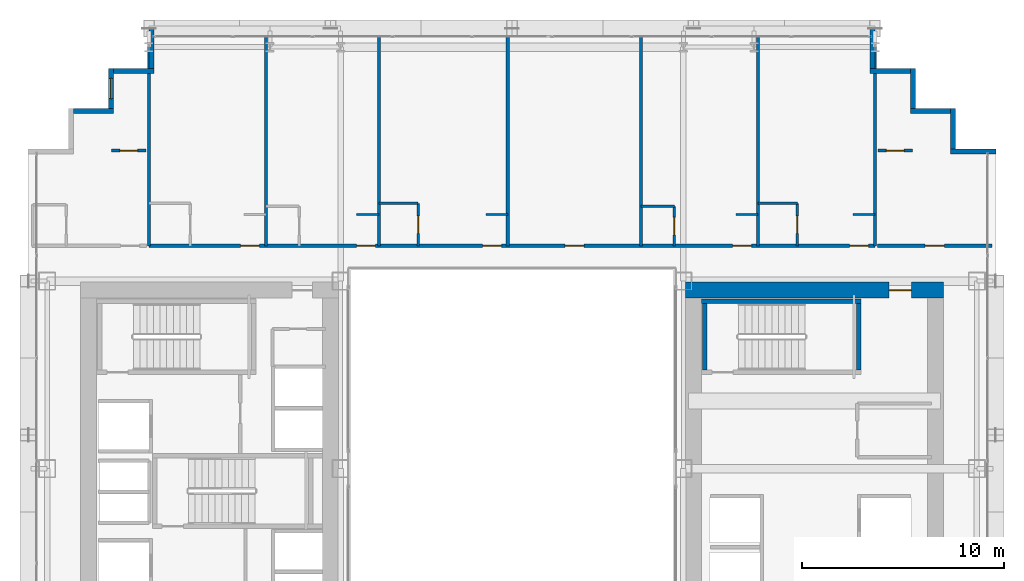
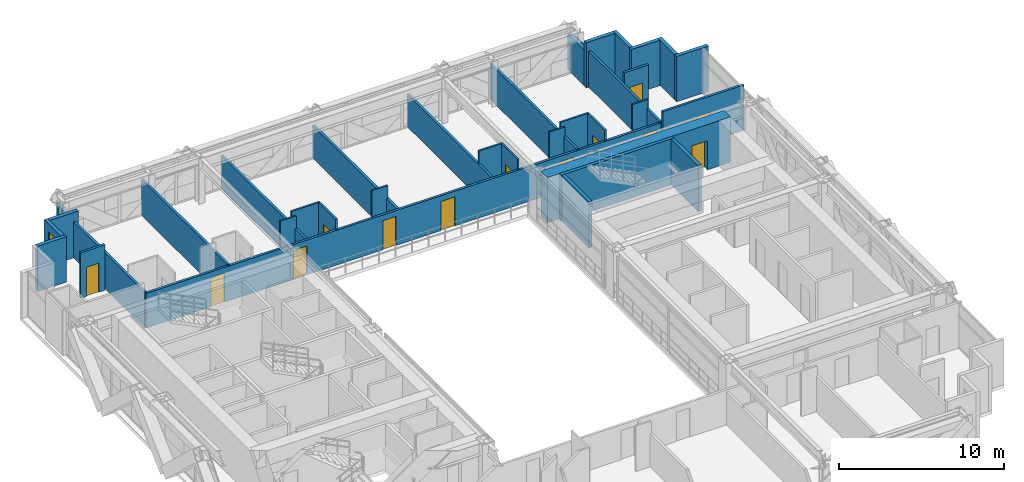
# One storey, part 36 of 41: 35 walls, 13 doors, 1 window, 14 openings.
"""IFC4 building model written with IfcOpenShell, lengths in metres."""

from ifc_helpers import new_model, si_unit, direction, frame, frame_2d, origin, place, context, subcontext, project, spatial, rectangle, extrude, source, transform, mapped, material, layer, layer_set, type_object, element, fill, save


model = new_model("IFC4")

# Units and contexts
model_context = context("Model", 3, precision=1e-05, world=origin(), true_north=direction((0.0, 1.0)))
body_context = subcontext(model_context, "Body", "Model", "MODEL_VIEW")
ifc_project = project(units=[si_unit("LENGTHUNIT", "METRE"), si_unit("AREAUNIT", "SQUARE_METRE"), si_unit("VOLUMEUNIT", "CUBIC_METRE"), si_unit("PLANEANGLEUNIT", "RADIAN"), si_unit("MASSUNIT", "GRAM", prefix="KILO")], contexts=[model_context])

# Site, building, storey
site_placement = place(None, origin())
site = spatial("IfcSite", under=ifc_project, at=site_placement, CompositionType="ELEMENT")
building_placement = place(site_placement, origin())
building = spatial("IfcBuilding", under=site, at=building_placement, Name="Ocotamira Hotel", CompositionType="ELEMENT")
storey_placement = place(building_placement, frame((0.0, 0.0, 52.800048828125)))
storey = spatial("IfcBuildingStorey", under=building, at=storey_placement, Name="L12", CompositionType="ELEMENT", Elevation=52.800048828125)

# Wall, opening, door
ifc_material_1 = material(Name="Concrete C60/75", Category="concrete")
ifc_layer_1 = layer(ifc_material_1, 0.800048828125)
ifc_layer_set_1 = layer_set([ifc_layer_1], Name="Concrete C60/75")
wall_type_1 = type_object("IfcWallType", Name="WL-CORE-800", PredefinedType="SHEAR", material=ifc_layer_set_1)
wall_1_placement = place(storey_placement, frame((40.60009765625, 37.0, 0.0), z_axis=(0.0, 0.0, 1.0), x_axis=(1.0, 0.0, 0.0)))
wall_1 = element("IfcWall", 1, at=wall_1_placement, inside=storey, type_object=wall_type_1, Name="L12 Shear Core Wall ECORE-N", PredefinedType="SHEAR", context=body_context, shape_type="SweptSolid", body=[
    extrude(rectangle(XDim=12.7998046875, YDim=0.800048828125, at=frame_2d((6.39990234375, 0.0))), origin(), (0.0, 0.0, 1.0), 3.349853515625),
])
opening_1_placement = place(wall_1_placement, frame((10.10009765625, 0.0, 0.0)))
opening_1 = element("IfcOpeningElement", 2, at=opening_1_placement, cuts=wall_1, Name="Opening D-FR1", PredefinedType="OPENING", context=body_context, shape_type="SweptSolid", body=[
    extrude(rectangle(XDim=1.10009765625, YDim=2.14990234375, at=frame_2d((0.550048828125, 1.074951171875))), frame((0.0, 0.41015625, 0.0), z_axis=(0.0, -1.0, 0.0), x_axis=(1.0, 0.0, 0.0)), (0.0, 0.0, 1.0), 0.820068359375),
])
ifc_material_2 = material(Name="Fire-rated acoustic timber-veneer door", Category="wood")
door_type_1 = type_object("IfcDoorType", Name="DR-FIRE-1100", OperationType="NOTDEFINED", PredefinedType="DOOR", material=ifc_material_2)
shared_shape_1 = source(origin(), body_context, "Body", "SweptSolid", [
    extrude(rectangle(XDim=1.10009765625, YDim=2.14990234375, at=frame_2d((0.550048828125, 1.074951171875))), frame((0.0, 0.02490234375, 0.0), z_axis=(0.0, -1.0, 0.0), x_axis=(1.0, 0.0, 0.0)), (0.0, 0.0, 1.0), 0.050048828125),
])
door_1_placement = place(opening_1_placement, origin())
door_1 = element("IfcDoor", 3, at=door_1_placement, inside=storey, type_object=door_type_1, Name="L12 Door ID-L12-ELOB-N-D [ID-L12-ELOB-N-D]", OperationType="SINGLE_SWING_LEFT", OverallHeight=2.14990234375, OverallWidth=1.10009765625, PredefinedType="DOOR", context=body_context, shape_type="MappedRepresentation", body=[
    mapped(shared_shape_1, transform((0.0, 0.0, 0.0), scale=1.0)),
])
fill(opening_1, door_1)

# Walls
ifc_material_3 = material(Name="Precast concrete C45/55", Category="concrete")
ifc_layer_2 = layer(ifc_material_3, 0.25)
ifc_layer_set_2 = layer_set([ifc_layer_2], Name="Precast concrete C45/55")
wall_type_2 = type_object("IfcWallType", Name="WL-EXT-SER-250", PredefinedType="SOLIDWALL", material=ifc_layer_set_2)
wall_2_placement = place(storey_placement, frame((56.0, 43.875, 0.0), z_axis=(0.0, 0.0, 1.0), x_axis=(-1.0, 0.0, 0.0)))
element("IfcWall", 4, at=wall_2_placement, inside=storey, type_object=wall_type_2, Name="L12 Serrated Corner Wall 07", PredefinedType="SOLIDWALL", context=body_context, shape_type="SweptSolid", body=[
    extrude(rectangle(XDim=2.25, YDim=0.25, at=frame_2d((1.125, 0.0))), origin(), (0.0, 0.0, 1.0), 3.349853515625),
])
for number, where, z_axis, x_axis, name in (
    (5, (53.875, 44.0, 0.0), (0.0, 0.0, 1.0), (0.0, 1.0, 0.0), "L12 Serrated Corner Wall 08"),
    (6, (53.75, 45.875, 0.0), (0.0, 0.0, 1.0), (-1.0, 0.0, 0.0), "L12 Serrated Corner Wall 09"),
    (7, (51.875, 46.0, 0.0), (0.0, 0.0, 1.0), (0.0, 1.0, 0.0), "L12 Serrated Corner Wall 10"),
    (8, (51.75, 47.875, 0.0), (0.0, 0.0, 1.0), (-1.0, 0.0, 0.0), "L12 Serrated Corner Wall 11"),
):
    element("IfcWall", number, at=place(storey_placement, frame(where, z_axis=z_axis, x_axis=x_axis)), inside=storey, type_object=wall_type_2, Name=name, PredefinedType="SOLIDWALL", context=body_context, shape_type="SweptSolid", body=[
        extrude(rectangle(XDim=2.0, YDim=0.25, at=frame_2d((1.0, 0.0))), origin(), (0.0, 0.0, 1.0), 3.349853515625),
    ])
for number, where, z_axis, x_axis, name in (
    (9, (49.875, 48.0, 0.0), (0.0, 0.0, 1.0), (0.0, 1.0, 0.0), "L12 Serrated Corner Wall 12"),
    (10, (14.125, 50.0, 0.0), (0.0, 0.0, 1.0), (0.0, -1.0, 0.0), "L12 Serrated Corner Wall 13"),
):
    element("IfcWall", number, at=place(storey_placement, frame(where, z_axis=z_axis, x_axis=x_axis)), inside=storey, type_object=wall_type_2, Name=name, PredefinedType="SOLIDWALL", context=body_context, shape_type="SweptSolid", body=[
        extrude(rectangle(XDim=2.0, YDim=0.25, at=frame_2d((1.0, 0.0))), origin(), (0.0, 0.0, 1.0), 2.656982421875),
    ])
wall_3_placement = place(storey_placement, frame((14.25, 47.875, 0.0), z_axis=(0.0, 0.0, 1.0), x_axis=(-1.0, 0.0, 0.0)))
element("IfcWall", 11, at=wall_3_placement, inside=storey, type_object=wall_type_2, Name="L12 Serrated Corner Wall 14", PredefinedType="SOLIDWALL", context=body_context, shape_type="SweptSolid", body=[
    extrude(rectangle(XDim=2.0, YDim=0.25, at=frame_2d((1.0, 0.0))), origin(), (0.0, 0.0, 1.0), 3.349853515625),
])

# Wall, opening, window
wall_4_placement = place(storey_placement, frame((12.125, 48.0, 0.0), z_axis=(0.0, 0.0, 1.0), x_axis=(0.0, -1.0, 0.0)))
wall_4 = element("IfcWall", 12, at=wall_4_placement, inside=storey, type_object=wall_type_2, Name="L12 Serrated Corner Wall 15", PredefinedType="SOLIDWALL", context=body_context, shape_type="SweptSolid", body=[
    extrude(rectangle(XDim=2.0, YDim=0.25, at=frame_2d((1.0, 0.0))), origin(), (0.0, 0.0, 1.0), 3.349853515625),
])
opening_2_placement = place(wall_4_placement, frame((0.5, 0.0, 0.85009765625)))
opening_2 = element("IfcOpeningElement", 13, at=opening_2_placement, cuts=wall_4, Name="Opening WN-2", PredefinedType="OPENING", context=body_context, shape_type="SweptSolid", body=[
    extrude(rectangle(XDim=1.0, YDim=1.89990234375, at=frame_2d((0.5, 0.949951171875))), frame((0.0, 0.135009765625, 0.0), z_axis=(0.0, -1.0, 0.0), x_axis=(1.0, 0.0, 0.0)), (0.0, 0.0, 1.0), 0.27001953125),
])
ifc_material_4 = material(Name="Double-silver low-E solar glass", Category="glass")
window_type = type_object("IfcWindowType", Name="WIN-SER-1100", PartitioningType="SINGLE_PANEL", PredefinedType="WINDOW", material=ifc_material_4)
shared_shape_2 = source(origin(), body_context, "Body", "SweptSolid", [
    extrude(rectangle(XDim=1.0, YDim=1.89990234375, at=frame_2d((0.5, 0.949951171875))), frame((0.0, 0.030029296875, 0.0), z_axis=(0.0, -1.0, 0.0), x_axis=(1.0, 0.0, 0.0)), (0.0, 0.0, 1.0), 0.06005859375),
])
window_placement = place(opening_2_placement, origin())
window = element("IfcWindow", 14, at=window_placement, inside=storey, type_object=window_type, Name="L12 Serrated Corner Window 15", OverallHeight=1.89990234375, OverallWidth=1.0, PartitioningType="SINGLE_PANEL", PredefinedType="WINDOW", context=body_context, shape_type="MappedRepresentation", body=[
    mapped(shared_shape_2, transform((0.0, 0.0, 0.0), scale=1.0)),
])
fill(opening_2, window)

# Wall
wall_5_placement = place(storey_placement, frame((12.25, 45.875, 0.0), z_axis=(0.0, 0.0, 1.0), x_axis=(-1.0, 0.0, 0.0)))
element("IfcWall", 15, at=wall_5_placement, inside=storey, type_object=wall_type_2, Name="L12 Serrated Corner Wall 16", PredefinedType="SOLIDWALL", context=body_context, shape_type="SweptSolid", body=[
    extrude(rectangle(XDim=2.0, YDim=0.25, at=frame_2d((1.0, 0.0))), origin(), (0.0, 0.0, 1.0), 3.349853515625),
])

# Wall, opening, door
ifc_material_5 = material(Name="Acoustic double-layer fire gypsum board partition", Category="gypsum")
ifc_layer_3 = layer(ifc_material_5, 0.159912109375)
ifc_layer_set_3 = layer_set([ifc_layer_3], Name="Acoustic double-layer fire gypsum board partition")
wall_type_3 = type_object("IfcWallType", Name="WL-FIRE-160", PredefinedType="PARTITIONING", material=ifc_layer_set_3)
wall_6_placement = place(storey_placement, frame((50.1201171875, 39.199951171875, 0.0), z_axis=(0.0, 0.0, 1.0), x_axis=(1.0, 0.0, 0.0)))
wall_6 = element("IfcWall", 16, at=wall_6_placement, inside=storey, type_object=wall_type_3, Name="L12 Interior Wall PW-L12-Z1B-CNE-CW", PredefinedType="PARTITIONING", context=body_context, shape_type="SweptSolid", body=[
    extrude(rectangle(XDim=5.679931640625, YDim=0.159912109375, at=frame_2d((2.83984375, 0.0))), origin(), (0.0, 0.0, 1.0), 3.349853515625),
])
opening_3_placement = place(wall_6_placement, frame((2.360107421875, 0.0, 0.0)))
opening_3 = element("IfcOpeningElement", 17, at=opening_3_placement, cuts=wall_6, Name="Opening D-SV4", PredefinedType="OPENING", context=body_context, shape_type="SweptSolid", body=[
    extrude(rectangle(XDim=0.9599609375, YDim=2.14990234375, at=frame_2d((0.47998046875, 1.074951171875))), frame((0.0, 0.08984375, 0.0), z_axis=(0.0, -1.0, 0.0), x_axis=(1.0, 0.0, 0.0)), (0.0, 0.0, 1.0), 0.179931640625),
])
ifc_material_6 = material(Name="Fire-rated accessible walnut salon door", Category="wood")
door_type_2 = type_object("IfcDoorType", Name="DR-SERV-960", OperationType="NOTDEFINED", PredefinedType="DOOR", material=ifc_material_6)
shared_shape_3 = source(origin(), body_context, "Body", "SweptSolid", [
    extrude(rectangle(XDim=0.9599609375, YDim=2.14990234375, at=frame_2d((0.47998046875, 1.074951171875))), frame((0.0, 0.02490234375, 0.0), z_axis=(0.0, -1.0, 0.0), x_axis=(1.0, 0.0, 0.0)), (0.0, 0.0, 1.0), 0.050048828125),
])
door_2_placement = place(opening_3_placement, origin())
door_2 = element("IfcDoor", 18, at=door_2_placement, inside=storey, type_object=door_type_2, Name="L12 Door ID-L12-Z1B-CNE-CD [ID-L12-Z1B-CNE-CD]", OperationType="SINGLE_SWING_LEFT", OverallHeight=2.14990234375, OverallWidth=0.9599609375, PredefinedType="DOOR", context=body_context, shape_type="MappedRepresentation", body=[
    mapped(shared_shape_3, transform((0.0, 0.0, 0.0), scale=1.0)),
])
fill(opening_3, door_2)

wall_7_placement = place(storey_placement, frame((12.14990234375, 43.919921875, 0.0), z_axis=(0.0, 0.0, 1.0), x_axis=(1.0, 0.0, 0.0)))
wall_7 = element("IfcWall", 19, at=wall_7_placement, inside=storey, type_object=wall_type_3, Name="L12 Interior Wall PW-L12-Z1B-CNW2-CW", PredefinedType="PARTITIONING", context=body_context, shape_type="SweptSolid", body=[
    extrude(rectangle(XDim=1.7001953125, YDim=0.159912109375, at=frame_2d((0.85009765625, 0.0))), origin(), (0.0, 0.0, 1.0), 3.349853515625),
])
opening_4_placement = place(wall_7_placement, frame((0.409912109375, 0.0, 0.0)))
opening_4 = element("IfcOpeningElement", 20, at=opening_4_placement, cuts=wall_7, Name="Opening D-SV2", PredefinedType="OPENING", context=body_context, shape_type="SweptSolid", body=[
    extrude(rectangle(XDim=0.8798828125, YDim=2.14990234375, at=frame_2d((0.43994140625, 1.074951171875))), frame((0.0, 0.08984375, 0.0), z_axis=(0.0, -1.0, 0.0), x_axis=(1.0, 0.0, 0.0)), (0.0, 0.0, 1.0), 0.179931640625),
])
ifc_material_7 = material(Name="Fire-rated painted steel service door", Category="steel")
door_type_3 = type_object("IfcDoorType", Name="DR-SERV-880", OperationType="NOTDEFINED", PredefinedType="DOOR", material=ifc_material_7)
shared_shape_4 = source(origin(), body_context, "Body", "SweptSolid", [
    extrude(rectangle(XDim=0.8798828125, YDim=2.14990234375, at=frame_2d((0.43994140625, 1.074951171875))), frame((0.0, 0.02490234375, 0.0), z_axis=(0.0, -1.0, 0.0), x_axis=(1.0, 0.0, 0.0)), (0.0, 0.0, 1.0), 0.050048828125),
])
door_3_placement = place(opening_4_placement, origin())
door_3 = element("IfcDoor", 21, at=door_3_placement, inside=storey, type_object=door_type_3, Name="L12 Door ID-L12-Z1B-CNW2-CD [ID-L12-Z1B-CNW2-CD]", OperationType="SINGLE_SWING_LEFT", OverallHeight=2.14990234375, OverallWidth=0.8798828125, PredefinedType="DOOR", context=body_context, shape_type="MappedRepresentation", body=[
    mapped(shared_shape_4, transform((0.0, 0.0, 0.0), scale=1.0)),
])
fill(opening_4, door_3)

wall_8_placement = place(storey_placement, frame((50.14990234375, 43.919921875, 0.0), z_axis=(0.0, 0.0, 1.0), x_axis=(1.0, 0.0, 0.0)))
wall_8 = element("IfcWall", 22, at=wall_8_placement, inside=storey, type_object=wall_type_3, Name="L12 Interior Wall PW-L12-Z1B-CNE2-CW", PredefinedType="PARTITIONING", context=body_context, shape_type="SweptSolid", body=[
    extrude(rectangle(XDim=1.7001953125, YDim=0.159912109375, at=frame_2d((0.85009765625, 0.0))), origin(), (0.0, 0.0, 1.0), 3.349853515625),
])
opening_5_placement = place(wall_8_placement, frame((0.409912109375, 0.0, 0.0)))
opening_5 = element("IfcOpeningElement", 23, at=opening_5_placement, cuts=wall_8, Name="Opening D-SV2", PredefinedType="OPENING", context=body_context, shape_type="SweptSolid", body=[
    extrude(rectangle(XDim=0.8798828125, YDim=2.14990234375, at=frame_2d((0.43994140625, 1.074951171875))), frame((0.0, 0.08984375, 0.0), z_axis=(0.0, -1.0, 0.0), x_axis=(1.0, 0.0, 0.0)), (0.0, 0.0, 1.0), 0.179931640625),
])
door_4_placement = place(opening_5_placement, origin())
door_4 = element("IfcDoor", 24, at=door_4_placement, inside=storey, type_object=door_type_3, Name="L12 Door ID-L12-Z1B-CNE2-CD [ID-L12-Z1B-CNE2-CD]", OperationType="SINGLE_SWING_LEFT", OverallHeight=2.14990234375, OverallWidth=0.8798828125, PredefinedType="DOOR", context=body_context, shape_type="MappedRepresentation", body=[
    mapped(shared_shape_4, transform((0.0, 0.0, 0.0), scale=1.0)),
])
fill(opening_5, door_4)

# Wall, openings, doors
wall_9_placement = place(storey_placement, frame((14.0, 39.199951171875, 0.0), z_axis=(0.0, 0.0, 1.0), x_axis=(1.0, 0.0, 0.0)))
wall_9 = element("IfcWall", 25, at=wall_9_placement, inside=storey, type_object=wall_type_3, Name="L12 Interior Wall PW-L12-Z1BN-CORRW", PredefinedType="PARTITIONING", context=body_context, shape_type="SweptSolid", body=[
    extrude(rectangle(XDim=36.0, YDim=0.159912109375, at=frame_2d((18.0, 0.0))), origin(), (0.0, 0.0, 1.0), 2.571044921875),
])
opening_6_placement = place(wall_9_placement, frame((4.5400390625, 0.0, 0.0)))
opening_6 = element("IfcOpeningElement", 26, at=opening_6_placement, cuts=wall_9, Name="Opening D-GR1", PredefinedType="OPENING", context=body_context, shape_type="SweptSolid", body=[
    extrude(rectangle(XDim=0.93994140625, YDim=2.14990234375, at=frame_2d((0.469970703125, 1.074951171875))), frame((0.0, 0.08984375, 0.0), z_axis=(0.0, -1.0, 0.0), x_axis=(1.0, 0.0, 0.0)), (0.0, 0.0, 1.0), 0.179931640625),
])
opening_7_placement = place(wall_9_placement, frame((10.2900390625, 0.0, 0.0)))
opening_7 = element("IfcOpeningElement", 27, at=opening_7_placement, cuts=wall_9, Name="Opening D-GR1", PredefinedType="OPENING", context=body_context, shape_type="SweptSolid", body=[
    extrude(rectangle(XDim=0.93994140625, YDim=2.14990234375, at=frame_2d((0.469970703125, 1.074951171875))), frame((0.0, 0.08984375, 0.0), z_axis=(0.0, -1.0, 0.0), x_axis=(1.0, 0.0, 0.0)), (0.0, 0.0, 1.0), 0.179931640625),
])
opening_8_placement = place(wall_9_placement, frame((16.5400390625, 0.0, 0.0)))
opening_8 = element("IfcOpeningElement", 28, at=opening_8_placement, cuts=wall_9, Name="Opening D-GR1", PredefinedType="OPENING", context=body_context, shape_type="SweptSolid", body=[
    extrude(rectangle(XDim=0.93994140625, YDim=2.14990234375, at=frame_2d((0.469970703125, 1.074951171875))), frame((0.0, 0.08984375, 0.0), z_axis=(0.0, -1.0, 0.0), x_axis=(1.0, 0.0, 0.0)), (0.0, 0.0, 1.0), 0.179931640625),
])
opening_9_placement = place(wall_9_placement, frame((20.6201171875, 0.0, 0.0)))
opening_9 = element("IfcOpeningElement", 29, at=opening_9_placement, cuts=wall_9, Name="Opening D-SV4", PredefinedType="OPENING", context=body_context, shape_type="SweptSolid", body=[
    extrude(rectangle(XDim=0.9599609375, YDim=2.14990234375, at=frame_2d((0.47998046875, 1.074951171875))), frame((0.0, 0.08984375, 0.0), z_axis=(0.0, -1.0, 0.0), x_axis=(1.0, 0.0, 0.0)), (0.0, 0.0, 1.0), 0.179931640625),
])
opening_10_placement = place(wall_9_placement, frame((28.93994140625, 0.0, 0.0)))
opening_10 = element("IfcOpeningElement", 30, at=opening_10_placement, cuts=wall_9, Name="Opening D-GR1", PredefinedType="OPENING", context=body_context, shape_type="SweptSolid", body=[
    extrude(rectangle(XDim=0.93994140625, YDim=2.14990234375, at=frame_2d((0.469970703125, 1.074951171875))), frame((0.0, 0.08984375, 0.0), z_axis=(0.0, -1.0, 0.0), x_axis=(1.0, 0.0, 0.0)), (0.0, 0.0, 1.0), 0.179931640625),
])
opening_11_placement = place(wall_9_placement, frame((34.739990234375, 0.0, 0.0)))
opening_11 = element("IfcOpeningElement", 31, at=opening_11_placement, cuts=wall_9, Name="Opening D-GR1", PredefinedType="OPENING", context=body_context, shape_type="SweptSolid", body=[
    extrude(rectangle(XDim=0.93994140625, YDim=2.14990234375, at=frame_2d((0.469970703125, 1.074951171875))), frame((0.0, 0.08984375, 0.0), z_axis=(0.0, -1.0, 0.0), x_axis=(1.0, 0.0, 0.0)), (0.0, 0.0, 1.0), 0.179931640625),
])
door_5_placement = place(opening_9_placement, origin())
door_5 = element("IfcDoor", 32, at=door_5_placement, inside=storey, type_object=door_type_2, Name="L12 Door ID-L12-Z1BN-AMD4 [ID-L12-Z1BN-AMD4]", OperationType="SINGLE_SWING_RIGHT", OverallHeight=2.14990234375, OverallWidth=0.9599609375, PredefinedType="DOOR", context=body_context, shape_type="MappedRepresentation", body=[
    mapped(shared_shape_3, transform((0.0, 0.0, 0.0), scale=1.0)),
])
fill(opening_9, door_5)
ifc_material_8 = material(Name="Solid-core walnut suite entrance fire door", Category="wood")
door_type_4 = type_object("IfcDoorType", Name="DR-GUEST-940", OperationType="NOTDEFINED", PredefinedType="DOOR", material=ifc_material_8)
shared_shape_5 = source(origin(), body_context, "Body", "SweptSolid", [
    extrude(rectangle(XDim=0.93994140625, YDim=2.14990234375, at=frame_2d((0.469970703125, 1.074951171875))), frame((0.0, 0.02490234375, 0.0), z_axis=(0.0, -1.0, 0.0), x_axis=(1.0, 0.0, 0.0)), (0.0, 0.0, 1.0), 0.050048828125),
])
door_6_placement = place(opening_6_placement, origin())
door_6 = element("IfcDoor", 33, at=door_6_placement, inside=storey, type_object=door_type_4, Name="L12 Door ID-L12-Z1BN-RMD1 [ID-L12-Z1BN-RMD1]", OperationType="SINGLE_SWING_LEFT", OverallHeight=2.14990234375, OverallWidth=0.93994140625, PredefinedType="DOOR", context=body_context, shape_type="MappedRepresentation", body=[
    mapped(shared_shape_5, transform((0.0, 0.0, 0.0), scale=1.0)),
])
fill(opening_6, door_6)
door_7_placement = place(opening_7_placement, origin())
door_7 = element("IfcDoor", 34, at=door_7_placement, inside=storey, type_object=door_type_4, Name="L12 Door ID-L12-Z1BN-RMD2 [ID-L12-Z1BN-RMD2]", OperationType="SINGLE_SWING_RIGHT", OverallHeight=2.14990234375, OverallWidth=0.93994140625, PredefinedType="DOOR", context=body_context, shape_type="MappedRepresentation", body=[
    mapped(shared_shape_5, transform((0.0, 0.0, 0.0), scale=1.0)),
])
fill(opening_7, door_7)
door_8_placement = place(opening_8_placement, origin())
door_8 = element("IfcDoor", 35, at=door_8_placement, inside=storey, type_object=door_type_4, Name="L12 Door ID-L12-Z1BN-RMD3 [ID-L12-Z1BN-RMD3]", OperationType="SINGLE_SWING_LEFT", OverallHeight=2.14990234375, OverallWidth=0.93994140625, PredefinedType="DOOR", context=body_context, shape_type="MappedRepresentation", body=[
    mapped(shared_shape_5, transform((0.0, 0.0, 0.0), scale=1.0)),
])
fill(opening_8, door_8)
door_9_placement = place(opening_10_placement, origin())
door_9 = element("IfcDoor", 36, at=door_9_placement, inside=storey, type_object=door_type_4, Name="L12 Door ID-L12-Z1BN-RMD5 [ID-L12-Z1BN-RMD5]", OperationType="SINGLE_SWING_LEFT", OverallHeight=2.14990234375, OverallWidth=0.93994140625, PredefinedType="DOOR", context=body_context, shape_type="MappedRepresentation", body=[
    mapped(shared_shape_5, transform((0.0, 0.0, 0.0), scale=1.0)),
])
fill(opening_10, door_9)
door_10_placement = place(opening_11_placement, origin())
door_10 = element("IfcDoor", 37, at=door_10_placement, inside=storey, type_object=door_type_4, Name="L12 Door ID-L12-Z1BN-RMD6 [ID-L12-Z1BN-RMD6]", OperationType="SINGLE_SWING_RIGHT", OverallHeight=2.14990234375, OverallWidth=0.93994140625, PredefinedType="DOOR", context=body_context, shape_type="MappedRepresentation", body=[
    mapped(shared_shape_5, transform((0.0, 0.0, 0.0), scale=1.0)),
])
fill(opening_11, door_10)

# Wall
ifc_material_9 = material(Name="Moisture-resistant en-suite tile and gypsum partition", Category="gypsum")
ifc_layer_4 = layer(ifc_material_9, 0.1201171875)
ifc_layer_set_4 = layer_set([ifc_layer_4], Name="Moisture-resistant en-suite tile and gypsum partition")
wall_type_4 = type_object("IfcWallType", Name="WL-PART-120", PredefinedType="PARTITIONING", material=ifc_layer_set_4)
wall_10_placement = place(storey_placement, frame((24.300048828125, 40.75, 0.0), z_axis=(0.0, 0.0, 1.0), x_axis=(1.0, 0.0, 0.0)))
element("IfcWall", 38, at=wall_10_placement, inside=storey, type_object=wall_type_4, Name="L12 Interior Wall PW-L12-Z1BN-DRN2", PredefinedType="PARTITIONING", context=body_context, shape_type="SweptSolid", body=[
    extrude(rectangle(XDim=1.099853515625, YDim=0.1201171875, at=frame_2d((0.5498046875, 0.0))), origin(), (0.0, 0.0, 1.0), 3.349853515625),
])

# Wall, opening, door
wall_11_placement = place(storey_placement, frame((27.35009765625, 39.199951171875, 0.0), z_axis=(0.0, 0.0, 1.0), x_axis=(0.0, 1.0, 0.0)))
wall_11 = element("IfcWall", 39, at=wall_11_placement, inside=storey, type_object=wall_type_4, Name="L12 Interior Wall PW-L12-Z1BN-BAE3", PredefinedType="PARTITIONING", context=body_context, shape_type="SweptSolid", body=[
    extrude(rectangle(XDim=2.10009765625, YDim=0.1201171875, at=frame_2d((1.050048828125, 0.0))), origin(), (0.0, 0.0, 1.0), 3.349853515625),
])
opening_12_placement = place(wall_11_placement, frame((0.6201171875, 0.0, 0.0)))
opening_12 = element("IfcOpeningElement", 40, at=opening_12_placement, cuts=wall_11, Name="Opening D-BA1", PredefinedType="OPENING", context=body_context, shape_type="SweptSolid", body=[
    extrude(rectangle(XDim=0.860107421875, YDim=2.10009765625, at=frame_2d((0.43017578125, 1.050048828125))), frame((0.0, 0.070068359375, 0.0), z_axis=(0.0, -1.0, 0.0), x_axis=(1.0, 0.0, 0.0)), (0.0, 0.0, 1.0), 0.14013671875),
])
ifc_material_10 = material(Name="Moisture-sealed en-suite timber door", Category="wood")
door_type_5 = type_object("IfcDoorType", Name="DR-BATH-860", OperationType="NOTDEFINED", PredefinedType="DOOR", material=ifc_material_10)
shared_shape_6 = source(origin(), body_context, "Body", "SweptSolid", [
    extrude(rectangle(XDim=0.860107421875, YDim=2.10009765625, at=frame_2d((0.43017578125, 1.050048828125))), frame((0.0, 0.02490234375, 0.0), z_axis=(0.0, -1.0, 0.0), x_axis=(1.0, 0.0, 0.0)), (0.0, 0.0, 1.0), 0.050048828125),
])
door_11_placement = place(opening_12_placement, origin())
door_11 = element("IfcDoor", 41, at=door_11_placement, inside=storey, type_object=door_type_5, Name="L12 Door ID-L12-Z1BN-BAD3 [ID-L12-Z1BN-BAD3]", OperationType="SINGLE_SWING_RIGHT", OverallHeight=2.10009765625, OverallWidth=0.860107421875, PredefinedType="DOOR", context=body_context, shape_type="MappedRepresentation", body=[
    mapped(shared_shape_6, transform((0.0, 0.0, 0.0), scale=1.0)),
])
fill(opening_12, door_11)

# Walls
wall_12_placement = place(storey_placement, frame((25.39990234375, 41.300048828125, 0.0), z_axis=(0.0, 0.0, 1.0), x_axis=(1.0, 0.0, 0.0)))
element("IfcWall", 42, at=wall_12_placement, inside=storey, type_object=wall_type_4, Name="L12 Interior Wall PW-L12-Z1BN-BAN3", PredefinedType="PARTITIONING", context=body_context, shape_type="SweptSolid", body=[
    extrude(rectangle(XDim=1.9501953125, YDim=0.1201171875, at=frame_2d((0.97509765625, 0.0))), origin(), (0.0, 0.0, 1.0), 3.349853515625),
])
wall_13_placement = place(storey_placement, frame((30.699951171875, 40.75, 0.0), z_axis=(0.0, 0.0, 1.0), x_axis=(1.0, 0.0, 0.0)))
element("IfcWall", 43, at=wall_13_placement, inside=storey, type_object=wall_type_4, Name="L12 Interior Wall PW-L12-Z1BN-DRN3", PredefinedType="PARTITIONING", context=body_context, shape_type="SweptSolid", body=[
    extrude(rectangle(XDim=1.10009765625, YDim=0.1201171875, at=frame_2d((0.550048828125, 0.0))), origin(), (0.0, 0.0, 1.0), 3.349853515625),
])

# Wall, opening, door
wall_14_placement = place(storey_placement, frame((40.050048828125, 39.199951171875, 0.0), z_axis=(0.0, 0.0, 1.0), x_axis=(0.0, 1.0, 0.0)))
wall_14 = element("IfcWall", 44, at=wall_14_placement, inside=storey, type_object=wall_type_4, Name="L12 Interior Wall PW-L12-Z1BN-BAE5", PredefinedType="PARTITIONING", context=body_context, shape_type="SweptSolid", body=[
    extrude(rectangle(XDim=1.949951171875, YDim=0.1201171875, at=frame_2d((0.97509765625, 0.0))), origin(), (0.0, 0.0, 1.0), 3.349853515625),
])
opening_13_placement = place(wall_14_placement, frame((0.544921875, 0.0, 0.0)))
opening_13 = element("IfcOpeningElement", 45, at=opening_13_placement, cuts=wall_14, Name="Opening D-BA1", PredefinedType="OPENING", context=body_context, shape_type="SweptSolid", body=[
    extrude(rectangle(XDim=0.860107421875, YDim=2.10009765625, at=frame_2d((0.43017578125, 1.050048828125))), frame((0.0, 0.070068359375, 0.0), z_axis=(0.0, -1.0, 0.0), x_axis=(1.0, 0.0, 0.0)), (0.0, 0.0, 1.0), 0.14013671875),
])
door_12_placement = place(opening_13_placement, origin())
door_12 = element("IfcDoor", 46, at=door_12_placement, inside=storey, type_object=door_type_5, Name="L12 Door ID-L12-Z1BN-BAD5 [ID-L12-Z1BN-BAD5]", OperationType="SINGLE_SWING_RIGHT", OverallHeight=2.10009765625, OverallWidth=0.860107421875, PredefinedType="DOOR", context=body_context, shape_type="MappedRepresentation", body=[
    mapped(shared_shape_6, transform((0.0, 0.0, 0.0), scale=1.0)),
])
fill(opening_13, door_12)

# Walls
wall_15_placement = place(storey_placement, frame((38.39990234375, 41.14990234375, 0.0), z_axis=(0.0, 0.0, 1.0), x_axis=(1.0, 0.0, 0.0)))
element("IfcWall", 47, at=wall_15_placement, inside=storey, type_object=wall_type_4, Name="L12 Interior Wall PW-L12-Z1BN-BAN5", PredefinedType="PARTITIONING", context=body_context, shape_type="SweptSolid", body=[
    extrude(rectangle(XDim=1.650146484375, YDim=0.1201171875, at=frame_2d((0.8251953125, 0.0))), origin(), (0.0, 0.0, 1.0), 3.349853515625),
])
wall_16_placement = place(storey_placement, frame((43.10009765625, 40.75, 0.0), z_axis=(0.0, 0.0, 1.0), x_axis=(1.0, 0.0, 0.0)))
element("IfcWall", 48, at=wall_16_placement, inside=storey, type_object=wall_type_4, Name="L12 Interior Wall PW-L12-Z1BN-DRN5", PredefinedType="PARTITIONING", context=body_context, shape_type="SweptSolid", body=[
    extrude(rectangle(XDim=1.099853515625, YDim=0.1201171875, at=frame_2d((0.5498046875, 0.0))), origin(), (0.0, 0.0, 1.0), 3.349853515625),
])

# Wall, opening, door
wall_17_placement = place(storey_placement, frame((46.14990234375, 39.199951171875, 0.0), z_axis=(0.0, 0.0, 1.0), x_axis=(0.0, 1.0, 0.0)))
wall_17 = element("IfcWall", 49, at=wall_17_placement, inside=storey, type_object=wall_type_4, Name="L12 Interior Wall PW-L12-Z1BN-BAE6", PredefinedType="PARTITIONING", context=body_context, shape_type="SweptSolid", body=[
    extrude(rectangle(XDim=2.10009765625, YDim=0.1201171875, at=frame_2d((1.050048828125, 0.0))), origin(), (0.0, 0.0, 1.0), 3.349853515625),
])
opening_14_placement = place(wall_17_placement, frame((0.6201171875, 0.0, 0.0)))
opening_14 = element("IfcOpeningElement", 50, at=opening_14_placement, cuts=wall_17, Name="Opening D-BA1", PredefinedType="OPENING", context=body_context, shape_type="SweptSolid", body=[
    extrude(rectangle(XDim=0.860107421875, YDim=2.10009765625, at=frame_2d((0.43017578125, 1.050048828125))), frame((0.0, 0.070068359375, 0.0), z_axis=(0.0, -1.0, 0.0), x_axis=(1.0, 0.0, 0.0)), (0.0, 0.0, 1.0), 0.14013671875),
])
door_13_placement = place(opening_14_placement, origin())
door_13 = element("IfcDoor", 51, at=door_13_placement, inside=storey, type_object=door_type_5, Name="L12 Door ID-L12-Z1BN-BAD6 [ID-L12-Z1BN-BAD6]", OperationType="SINGLE_SWING_LEFT", OverallHeight=2.10009765625, OverallWidth=0.860107421875, PredefinedType="DOOR", context=body_context, shape_type="MappedRepresentation", body=[
    mapped(shared_shape_6, transform((0.0, 0.0, 0.0), scale=1.0)),
])
fill(opening_14, door_13)

# Walls
wall_18_placement = place(storey_placement, frame((44.199951171875, 41.300048828125, 0.0), z_axis=(0.0, 0.0, 1.0), x_axis=(1.0, 0.0, 0.0)))
element("IfcWall", 52, at=wall_18_placement, inside=storey, type_object=wall_type_4, Name="L12 Interior Wall PW-L12-Z1BN-BAN6", PredefinedType="PARTITIONING", context=body_context, shape_type="SweptSolid", body=[
    extrude(rectangle(XDim=1.949951171875, YDim=0.1201171875, at=frame_2d((0.97509765625, 0.0))), origin(), (0.0, 0.0, 1.0), 3.349853515625),
])
wall_19_placement = place(storey_placement, frame((48.89990234375, 40.75, 0.0), z_axis=(0.0, 0.0, 1.0), x_axis=(1.0, 0.0, 0.0)))
element("IfcWall", 53, at=wall_19_placement, inside=storey, type_object=wall_type_4, Name="L12 Interior Wall PW-L12-Z1BN-DRN6", PredefinedType="PARTITIONING", context=body_context, shape_type="SweptSolid", body=[
    extrude(rectangle(XDim=1.10009765625, YDim=0.1201171875, at=frame_2d((0.550048828125, 0.0))), origin(), (0.0, 0.0, 1.0), 3.349853515625),
])
ifc_material_11 = material(Name="Acoustic double-stud hospitality gypsum partition", Category="gypsum")
ifc_layer_5 = layer(ifc_material_11, 0.159912109375)
ifc_layer_set_5 = layer_set([ifc_layer_5], Name="Acoustic double-stud hospitality gypsum partition")
wall_type_5 = type_object("IfcWallType", Name="WL-PART-160", PredefinedType="PARTITIONING", material=ifc_layer_set_5)
for number, where, z_axis, x_axis, name in (
    (54, (14.0, 39.199951171875, 0.0), (0.0, 0.0, 1.0), (0.0, 1.0, 0.0), "L12 Interior Wall PW-L12-Z1BN-PW0"),
    (55, (50.0, 39.199951171875, 0.0), (0.0, 0.0, 1.0), (0.0, 1.0, 0.0), "L12 Interior Wall PW-L12-Z1BN-PWEND"),
    (56, (19.800048828125, 39.199951171875, 0.0), (0.0, 0.0, 1.0), (0.0, 1.0, 0.0), "L12 Interior Wall PW-L12-Z1BN-PW1"),
):
    element("IfcWall", number, at=place(storey_placement, frame(where, z_axis=z_axis, x_axis=x_axis)), inside=storey, type_object=wall_type_5, Name=name, PredefinedType="PARTITIONING", context=body_context, shape_type="SweptSolid", body=[
        extrude(rectangle(XDim=10.43994140625, YDim=0.159912109375, at=frame_2d((5.219970703125, 0.0))), origin(), (0.0, 0.0, 1.0), 2.656982421875),
    ])
for number, where, z_axis, x_axis, name in (
    (57, (25.39990234375, 39.199951171875, 0.0), (0.0, 0.0, 1.0), (0.0, 1.0, 0.0), "L12 Interior Wall PW-L12-Z1BN-PW2"),
    (58, (38.39990234375, 39.199951171875, 0.0), (0.0, 0.0, 1.0), (0.0, 1.0, 0.0), "L12 Interior Wall PW-L12-Z1BN-PW4"),
):
    element("IfcWall", number, at=place(storey_placement, frame(where, z_axis=z_axis, x_axis=x_axis)), inside=storey, type_object=wall_type_5, Name=name, PredefinedType="PARTITIONING", context=body_context, shape_type="SweptSolid", body=[
        extrude(rectangle(XDim=10.43994140625, YDim=0.159912109375, at=frame_2d((5.219970703125, 0.0))), origin(), (0.0, 0.0, 1.0), 2.4228515625),
    ])
wall_20_placement = place(storey_placement, frame((44.199951171875, 39.199951171875, 0.0), z_axis=(0.0, 0.0, 1.0), x_axis=(0.0, 1.0, 0.0)))
element("IfcWall", 59, at=wall_20_placement, inside=storey, type_object=wall_type_5, Name="L12 Interior Wall PW-L12-Z1BN-PW5", PredefinedType="PARTITIONING", context=body_context, shape_type="SweptSolid", body=[
    extrude(rectangle(XDim=10.43994140625, YDim=0.159912109375, at=frame_2d((5.219970703125, 0.0))), origin(), (0.0, 0.0, 1.0), 2.656982421875),
])
ifc_material_12 = material(Name="Double-stud suite party gypsum partition", Category="gypsum")
ifc_layer_6 = layer(ifc_material_12, 0.175048828125)
ifc_layer_set_6 = layer_set([ifc_layer_6], Name="Double-stud suite party gypsum partition")
wall_type_6 = type_object("IfcWallType", Name="WL-PART-175", PredefinedType="PARTITIONING", material=ifc_layer_set_6)
wall_21_placement = place(storey_placement, frame((31.800048828125, 39.199951171875, 0.0), z_axis=(0.0, 0.0, 1.0), x_axis=(0.0, 1.0, 0.0)))
element("IfcWall", 60, at=wall_21_placement, inside=storey, type_object=wall_type_6, Name="L12 Interior Wall PW-L12-Z1BN-PW3", PredefinedType="PARTITIONING", context=body_context, shape_type="SweptSolid", body=[
    extrude(rectangle(XDim=10.43994140625, YDim=0.175048828125, at=frame_2d((5.219970703125, 0.0))), origin(), (0.0, 0.0, 1.0), 2.4228515625),
])
ifc_material_13 = material(Name="Concrete C50/60", Category="concrete")
ifc_layer_7 = layer(ifc_material_13, 0.219970703125)
ifc_layer_set_7 = layer_set([ifc_layer_7], Name="Concrete C50/60")
wall_type_7 = type_object("IfcWallType", Name="WL-STAIR-220", PredefinedType="SHEAR", material=ifc_layer_set_7)
wall_22_placement = place(storey_placement, frame((41.39990234375, 36.43994140625, 0.0), z_axis=(0.0, 0.0, 1.0), x_axis=(1.0, 0.0, 0.0)))
element("IfcWall", 61, at=wall_22_placement, inside=storey, type_object=wall_type_7, Name="L12 Stair Shaft Structural Wall ST-4-N", PredefinedType="SHEAR", context=body_context, shape_type="SweptSolid", body=[
    extrude(rectangle(XDim=7.91015625, YDim=0.219970703125, at=frame_2d((3.955078125, 0.0))), origin(), (0.0, 0.0, 1.0), 3.39990234375),
])
for number, where, z_axis, x_axis, name in (
    (62, (41.56005859375, 33.050048828125, 0.0), (0.0, 0.0, 1.0), (0.0, 1.0, 0.0), "L12 Stair Shaft Structural Wall ST-4-W"),
    (63, (49.199951171875, 33.050048828125, 0.0), (0.0, 0.0, 1.0), (0.0, 1.0, 0.0), "L12 Stair Shaft Structural Wall ST-4-E"),
):
    element("IfcWall", number, at=place(storey_placement, frame(where, z_axis=z_axis, x_axis=x_axis)), inside=storey, type_object=wall_type_7, Name=name, PredefinedType="SHEAR", context=body_context, shape_type="SweptSolid", body=[
        extrude(rectangle(XDim=3.280029296875, YDim=0.219970703125, at=frame_2d((1.64013671875, 0.0))), origin(), (0.0, 0.0, 1.0), 3.39990234375),
    ])

save(model, "model.ifc")
